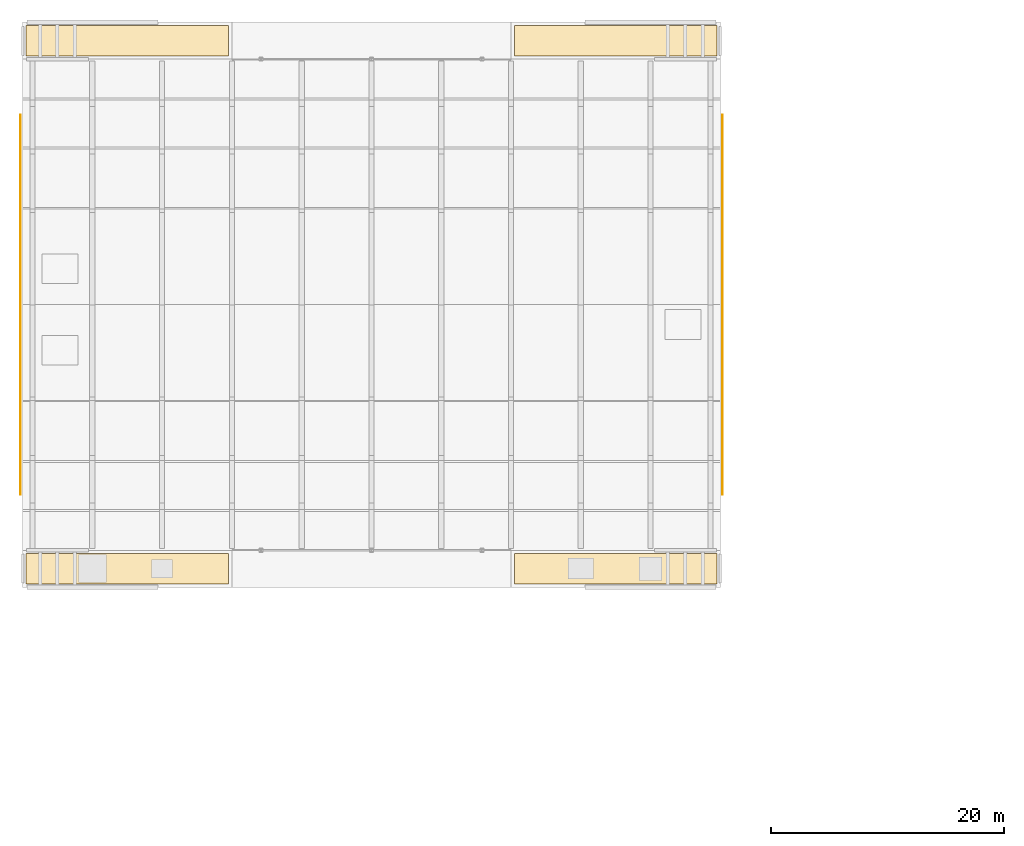
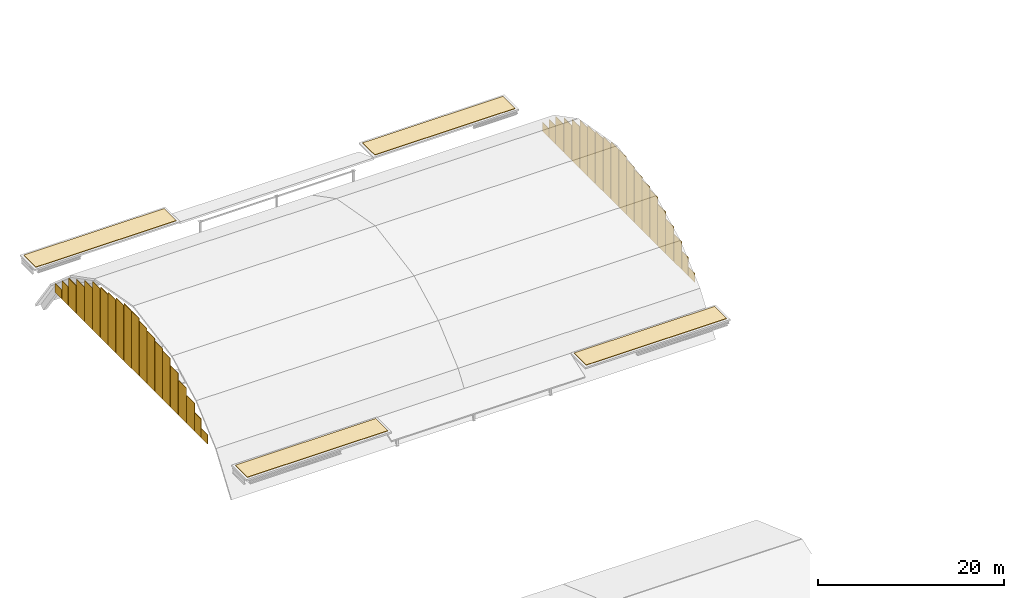
# One storey, part 41 of 42: 44 coverings.
"""IFC4 building model written with IfcOpenShell, lengths in metres."""

from ifc_helpers import new_model, si_unit, direction, frame, origin, origin_2d, place, context, subcontext, project, spatial, polyline, rectangle, outline, extrude, material, layer, layer_set, type_object, element, save


model = new_model("IFC4")

# Units and contexts
model_context = context("Model", 3, precision=1e-05, world=origin(), true_north=direction((0.0, 1.0)))
body_context = subcontext(model_context, "Body", "Model", "MODEL_VIEW")
ifc_project = project(units=[si_unit("LENGTHUNIT", "METRE"), si_unit("AREAUNIT", "SQUARE_METRE"), si_unit("VOLUMEUNIT", "CUBIC_METRE"), si_unit("PLANEANGLEUNIT", "RADIAN"), si_unit("MASSUNIT", "GRAM", prefix="KILO")], contexts=[model_context])

# Site, building, storey
site_placement = place(None, origin())
site = spatial("IfcSite", under=ifc_project, at=site_placement, CompositionType="ELEMENT")
building_placement = place(site_placement, origin())
building = spatial("IfcBuilding", under=site, at=building_placement, Name="Kelmvaro Bay Concert Hall", CompositionType="ELEMENT")
storey_placement = place(building_placement, frame((0.0, 0.0, 26.699951171875)))
storey = spatial("IfcBuildingStorey", under=building, at=storey_placement, Name="RF", CompositionType="ELEMENT", Elevation=26.699951171875)

# Coverings
ifc_material_1 = material(Name="Honed Florida Limestone Travertine", Category="masonry")
ifc_layer_1 = layer(ifc_material_1, 0.054931640625)
ifc_layer_set_1 = layer_set([ifc_layer_1], Name="Honed Florida Limestone Travertine")
covering_type_1 = type_object("IfcCoveringType", Name="Honed Florida Travertine Rainscreen Cladding 55", PredefinedType="CLADDING", material=ifc_layer_set_1)
covering_1_placement = place(storey_placement, frame((-0.195556640625, 74.02880859375, 0.0), z_axis=(0.0, 0.0, 1.0), x_axis=(0.0, 1.0, 0.0)))
element("IfcCovering", 1, at=covering_1_placement, inside=storey, type_object=covering_type_1, Name="RF Crown Travertine Gable Panel 0217", PredefinedType="CLADDING", context=body_context, shape_type="SweptSolid", body=[
    extrude(rectangle(XDim=1.35302734375, YDim=0.054931640625, at=origin_2d()), origin(), (0.0, 0.0, 1.0), 1.193115234375),
])
for number, where, z_axis, x_axis, name in (
    (2, (-0.195556640625, 75.44189453125, 0.0), (0.0, 0.0, 1.0), (0.0, 1.0, 0.0), "RF Crown Travertine Gable Panel 0219"),
    (3, (60.195556640625, 75.44189453125, 0.0), (0.0, 0.0, 1.0), (0.0, -1.0, 0.0), "RF Crown Travertine Gable Panel 0221"),
):
    element("IfcCovering", number, at=place(storey_placement, frame(where, z_axis=z_axis, x_axis=x_axis)), inside=storey, type_object=covering_type_1, Name=name, PredefinedType="CLADDING", context=body_context, shape_type="SweptSolid", body=[
        extrude(rectangle(XDim=1.35302734375, YDim=0.054931640625, at=origin_2d()), origin(), (0.0, 0.0, 1.0), 2.426025390625),
    ])
covering_2_placement = place(storey_placement, frame((60.195556640625, 74.02880859375, 0.0), z_axis=(0.0, 0.0, 1.0), x_axis=(0.0, -1.0, 0.0)))
element("IfcCovering", 4, at=covering_2_placement, inside=storey, type_object=covering_type_1, Name="RF Crown Travertine Gable Panel 0223", PredefinedType="CLADDING", context=body_context, shape_type="SweptSolid", body=[
    extrude(rectangle(XDim=1.35302734375, YDim=0.054931640625, at=origin_2d()), origin(), (0.0, 0.0, 1.0), 1.193115234375),
])
covering_3_placement = place(storey_placement, frame((-0.195556640625, 77.016845703125, 0.0), z_axis=(0.0, 0.0, 1.0), x_axis=(0.0, 1.0, 0.0)))
element("IfcCovering", 5, at=covering_3_placement, inside=storey, type_object=covering_type_1, Name="RF Crown Travertine Gable Panel 0226", PredefinedType="CLADDING", context=body_context, shape_type="SweptSolid", body=[
    extrude(rectangle(XDim=1.676025390625, YDim=0.054931640625, at=origin_2d()), origin(), (0.0, 0.0, 1.0), 3.64892578125),
])
covering_4_placement = place(storey_placement, frame((-0.195556640625, 78.753173828125, 0.0), z_axis=(0.0, 0.0, 1.0), x_axis=(0.0, 1.0, 0.0)))
element("IfcCovering", 6, at=covering_4_placement, inside=storey, type_object=covering_type_1, Name="RF Crown Travertine Gable Panel 0228", PredefinedType="CLADDING", context=body_context, shape_type="SweptSolid", body=[
    extrude(rectangle(XDim=1.676025390625, YDim=0.054931640625, at=origin_2d()), origin(), (0.0, 0.0, 1.0), 4.547119140625),
])
for number, where, z_axis, x_axis, name in (
    (7, (-0.195556640625, 80.489501953125, 0.0), (0.0, 0.0, 1.0), (0.0, 1.0, 0.0), "RF Crown Travertine Gable Panel 0230"),
    (8, (60.195556640625, 80.489501953125, 0.0), (0.0, 0.0, 1.0), (0.0, -1.0, 0.0), "RF Crown Travertine Gable Panel 0232"),
):
    element("IfcCovering", number, at=place(storey_placement, frame(where, z_axis=z_axis, x_axis=x_axis)), inside=storey, type_object=covering_type_1, Name=name, PredefinedType="CLADDING", context=body_context, shape_type="SweptSolid", body=[
        extrude(rectangle(XDim=1.676025390625, YDim=0.054931640625, at=origin_2d()), origin(), (0.0, 0.0, 1.0), 5.446044921875),
    ])
covering_5_placement = place(storey_placement, frame((60.195556640625, 78.753173828125, 0.0), z_axis=(0.0, 0.0, 1.0), x_axis=(0.0, -1.0, 0.0)))
element("IfcCovering", 9, at=covering_5_placement, inside=storey, type_object=covering_type_1, Name="RF Crown Travertine Gable Panel 0234", PredefinedType="CLADDING", context=body_context, shape_type="SweptSolid", body=[
    extrude(rectangle(XDim=1.676025390625, YDim=0.054931640625, at=origin_2d()), origin(), (0.0, 0.0, 1.0), 4.547119140625),
])
covering_6_placement = place(storey_placement, frame((60.195556640625, 77.016845703125, 0.0), z_axis=(0.0, 0.0, 1.0), x_axis=(0.0, -1.0, 0.0)))
element("IfcCovering", 10, at=covering_6_placement, inside=storey, type_object=covering_type_1, Name="RF Crown Travertine Gable Panel 0236", PredefinedType="CLADDING", context=body_context, shape_type="SweptSolid", body=[
    extrude(rectangle(XDim=1.676025390625, YDim=0.054931640625, at=origin_2d()), origin(), (0.0, 0.0, 1.0), 3.64892578125),
])
covering_7_placement = place(storey_placement, frame((-0.195556640625, 82.19189453125, 0.0), z_axis=(0.0, 0.0, 1.0), x_axis=(0.0, 1.0, 0.0)))
element("IfcCovering", 11, at=covering_7_placement, inside=storey, type_object=covering_type_1, Name="RF Crown Travertine Gable Panel 0238", PredefinedType="CLADDING", context=body_context, shape_type="SweptSolid", body=[
    extrude(rectangle(XDim=1.60791015625, YDim=0.054931640625, at=origin_2d()), origin(), (0.0, 0.0, 1.0), 6.333984375),
])
covering_8_placement = place(storey_placement, frame((-0.195556640625, 83.860595703125, 0.0), z_axis=(0.0, 0.0, 1.0), x_axis=(0.0, 1.0, 0.0)))
element("IfcCovering", 12, at=covering_8_placement, inside=storey, type_object=covering_type_1, Name="RF Crown Travertine Gable Panel 0240", PredefinedType="CLADDING", context=body_context, shape_type="SweptSolid", body=[
    extrude(rectangle(XDim=1.60791015625, YDim=0.054931640625, at=origin_2d()), origin(), (0.0, 0.0, 1.0), 6.633056640625),
])
covering_9_placement = place(storey_placement, frame((-0.195556640625, 85.52880859375, -0.000244140625), z_axis=(0.0, 0.0, 1.0), x_axis=(0.0, 1.0, 0.0)))
element("IfcCovering", 13, at=covering_9_placement, inside=storey, type_object=covering_type_1, Name="RF Crown Travertine Gable Panel 0242", PredefinedType="CLADDING", context=body_context, shape_type="SweptSolid", body=[
    extrude(rectangle(XDim=1.60791015625, YDim=0.054931640625, at=origin_2d()), origin(), (0.0, 0.0, 1.0), 6.93310546875),
])
covering_10_placement = place(storey_placement, frame((-0.195556640625, 87.197265625, 0.0), z_axis=(0.0, 0.0, 1.0), x_axis=(0.0, 1.0, 0.0)))
element("IfcCovering", 14, at=covering_10_placement, inside=storey, type_object=covering_type_1, Name="RF Crown Travertine Gable Panel 0244", PredefinedType="CLADDING", context=body_context, shape_type="SweptSolid", body=[
    extrude(rectangle(XDim=1.60791015625, YDim=0.054931640625, at=origin_2d()), origin(), (0.0, 0.0, 1.0), 7.23193359375),
])
for number, where, z_axis, x_axis, name in (
    (15, (-0.195556640625, 88.86572265625, 0.0), (0.0, 0.0, 1.0), (0.0, 1.0, 0.0), "RF Crown Travertine Gable Panel 0246"),
    (16, (60.195556640625, 88.86572265625, 0.0), (0.0, 0.0, 1.0), (0.0, -1.0, 0.0), "RF Crown Travertine Gable Panel 0248"),
):
    element("IfcCovering", number, at=place(storey_placement, frame(where, z_axis=z_axis, x_axis=x_axis)), inside=storey, type_object=covering_type_1, Name=name, PredefinedType="CLADDING", context=body_context, shape_type="SweptSolid", body=[
        extrude(rectangle(XDim=1.60791015625, YDim=0.054931640625, at=origin_2d()), origin(), (0.0, 0.0, 1.0), 7.531005859375),
    ])
covering_11_placement = place(storey_placement, frame((60.195556640625, 87.197265625, 0.0), z_axis=(0.0, 0.0, 1.0), x_axis=(0.0, -1.0, 0.0)))
element("IfcCovering", 17, at=covering_11_placement, inside=storey, type_object=covering_type_1, Name="RF Crown Travertine Gable Panel 0250", PredefinedType="CLADDING", context=body_context, shape_type="SweptSolid", body=[
    extrude(rectangle(XDim=1.60791015625, YDim=0.054931640625, at=origin_2d()), origin(), (0.0, 0.0, 1.0), 7.23193359375),
])
covering_12_placement = place(storey_placement, frame((60.195556640625, 85.52880859375, -0.000244140625), z_axis=(0.0, 0.0, 1.0), x_axis=(0.0, -1.0, 0.0)))
element("IfcCovering", 18, at=covering_12_placement, inside=storey, type_object=covering_type_1, Name="RF Crown Travertine Gable Panel 0252", PredefinedType="CLADDING", context=body_context, shape_type="SweptSolid", body=[
    extrude(rectangle(XDim=1.60791015625, YDim=0.054931640625, at=origin_2d()), origin(), (0.0, 0.0, 1.0), 6.93310546875),
])
covering_13_placement = place(storey_placement, frame((60.195556640625, 83.860595703125, 0.0), z_axis=(0.0, 0.0, 1.0), x_axis=(0.0, -1.0, 0.0)))
element("IfcCovering", 19, at=covering_13_placement, inside=storey, type_object=covering_type_1, Name="RF Crown Travertine Gable Panel 0254", PredefinedType="CLADDING", context=body_context, shape_type="SweptSolid", body=[
    extrude(rectangle(XDim=1.60791015625, YDim=0.054931640625, at=origin_2d()), origin(), (0.0, 0.0, 1.0), 6.633056640625),
])
covering_14_placement = place(storey_placement, frame((60.195556640625, 82.19189453125, 0.0), z_axis=(0.0, 0.0, 1.0), x_axis=(0.0, -1.0, 0.0)))
element("IfcCovering", 20, at=covering_14_placement, inside=storey, type_object=covering_type_1, Name="RF Crown Travertine Gable Panel 0256", PredefinedType="CLADDING", context=body_context, shape_type="SweptSolid", body=[
    extrude(rectangle(XDim=1.60791015625, YDim=0.054931640625, at=origin_2d()), origin(), (0.0, 0.0, 1.0), 6.333984375),
])
covering_15_placement = place(storey_placement, frame((-0.195556640625, 90.5341796875, 0.0), z_axis=(0.0, 0.0, 1.0), x_axis=(0.0, 1.0, 0.0)))
element("IfcCovering", 21, at=covering_15_placement, inside=storey, type_object=covering_type_1, Name="RF Crown Travertine Gable Panel 0258", PredefinedType="CLADDING", context=body_context, shape_type="SweptSolid", body=[
    extrude(rectangle(XDim=1.60791015625, YDim=0.054931640625, at=origin_2d()), origin(), (0.0, 0.0, 1.0), 7.531005859375),
])
covering_16_placement = place(storey_placement, frame((-0.195556640625, 92.20263671875, 0.0), z_axis=(0.0, 0.0, 1.0), x_axis=(0.0, 1.0, 0.0)))
element("IfcCovering", 22, at=covering_16_placement, inside=storey, type_object=covering_type_1, Name="RF Crown Travertine Gable Panel 0260", PredefinedType="CLADDING", context=body_context, shape_type="SweptSolid", body=[
    extrude(rectangle(XDim=1.60791015625, YDim=0.054931640625, at=origin_2d()), origin(), (0.0, 0.0, 1.0), 7.23193359375),
])
covering_17_placement = place(storey_placement, frame((-0.195556640625, 93.87109375, -0.000244140625), z_axis=(0.0, 0.0, 1.0), x_axis=(0.0, 1.0, 0.0)))
element("IfcCovering", 23, at=covering_17_placement, inside=storey, type_object=covering_type_1, Name="RF Crown Travertine Gable Panel 0262", PredefinedType="CLADDING", context=body_context, shape_type="SweptSolid", body=[
    extrude(rectangle(XDim=1.60791015625, YDim=0.054931640625, at=origin_2d()), origin(), (0.0, 0.0, 1.0), 6.93310546875),
])
covering_18_placement = place(storey_placement, frame((-0.195556640625, 95.53955078125, 0.0), z_axis=(0.0, 0.0, 1.0), x_axis=(0.0, 1.0, 0.0)))
element("IfcCovering", 24, at=covering_18_placement, inside=storey, type_object=covering_type_1, Name="RF Crown Travertine Gable Panel 0264", PredefinedType="CLADDING", context=body_context, shape_type="SweptSolid", body=[
    extrude(rectangle(XDim=1.60791015625, YDim=0.054931640625, at=origin_2d()), origin(), (0.0, 0.0, 1.0), 6.633056640625),
])
for number, where, z_axis, x_axis, name in (
    (25, (-0.195556640625, 97.2080078125, 0.0), (0.0, 0.0, 1.0), (0.0, 1.0, 0.0), "RF Crown Travertine Gable Panel 0266"),
    (26, (60.195556640625, 97.2080078125, 0.0), (0.0, 0.0, 1.0), (0.0, -1.0, 0.0), "RF Crown Travertine Gable Panel 0268"),
):
    element("IfcCovering", number, at=place(storey_placement, frame(where, z_axis=z_axis, x_axis=x_axis)), inside=storey, type_object=covering_type_1, Name=name, PredefinedType="CLADDING", context=body_context, shape_type="SweptSolid", body=[
        extrude(rectangle(XDim=1.60791015625, YDim=0.054931640625, at=origin_2d()), origin(), (0.0, 0.0, 1.0), 6.333984375),
    ])
covering_19_placement = place(storey_placement, frame((60.195556640625, 95.53955078125, 0.0), z_axis=(0.0, 0.0, 1.0), x_axis=(0.0, -1.0, 0.0)))
element("IfcCovering", 27, at=covering_19_placement, inside=storey, type_object=covering_type_1, Name="RF Crown Travertine Gable Panel 0270", PredefinedType="CLADDING", context=body_context, shape_type="SweptSolid", body=[
    extrude(rectangle(XDim=1.60791015625, YDim=0.054931640625, at=origin_2d()), origin(), (0.0, 0.0, 1.0), 6.633056640625),
])
covering_20_placement = place(storey_placement, frame((60.195556640625, 93.87109375, -0.000244140625), z_axis=(0.0, 0.0, 1.0), x_axis=(0.0, -1.0, 0.0)))
element("IfcCovering", 28, at=covering_20_placement, inside=storey, type_object=covering_type_1, Name="RF Crown Travertine Gable Panel 0272", PredefinedType="CLADDING", context=body_context, shape_type="SweptSolid", body=[
    extrude(rectangle(XDim=1.60791015625, YDim=0.054931640625, at=origin_2d()), origin(), (0.0, 0.0, 1.0), 6.93310546875),
])
covering_21_placement = place(storey_placement, frame((60.195556640625, 92.20263671875, 0.0), z_axis=(0.0, 0.0, 1.0), x_axis=(0.0, -1.0, 0.0)))
element("IfcCovering", 29, at=covering_21_placement, inside=storey, type_object=covering_type_1, Name="RF Crown Travertine Gable Panel 0274", PredefinedType="CLADDING", context=body_context, shape_type="SweptSolid", body=[
    extrude(rectangle(XDim=1.60791015625, YDim=0.054931640625, at=origin_2d()), origin(), (0.0, 0.0, 1.0), 7.23193359375),
])
covering_22_placement = place(storey_placement, frame((60.195556640625, 90.5341796875, 0.0), z_axis=(0.0, 0.0, 1.0), x_axis=(0.0, -1.0, 0.0)))
element("IfcCovering", 30, at=covering_22_placement, inside=storey, type_object=covering_type_1, Name="RF Crown Travertine Gable Panel 0276", PredefinedType="CLADDING", context=body_context, shape_type="SweptSolid", body=[
    extrude(rectangle(XDim=1.60791015625, YDim=0.054931640625, at=origin_2d()), origin(), (0.0, 0.0, 1.0), 7.531005859375),
])
covering_23_placement = place(storey_placement, frame((-0.195556640625, 98.910400390625, 0.0), z_axis=(0.0, 0.0, 1.0), x_axis=(0.0, 1.0, 0.0)))
element("IfcCovering", 31, at=covering_23_placement, inside=storey, type_object=covering_type_1, Name="RF Crown Travertine Gable Panel 0278", PredefinedType="CLADDING", context=body_context, shape_type="SweptSolid", body=[
    extrude(rectangle(XDim=1.676025390625, YDim=0.054931640625, at=origin_2d()), origin(), (0.0, 0.0, 1.0), 5.446044921875),
])
covering_24_placement = place(storey_placement, frame((-0.195556640625, 100.646728515625, 0.0), z_axis=(0.0, 0.0, 1.0), x_axis=(0.0, 1.0, 0.0)))
element("IfcCovering", 32, at=covering_24_placement, inside=storey, type_object=covering_type_1, Name="RF Crown Travertine Gable Panel 0280", PredefinedType="CLADDING", context=body_context, shape_type="SweptSolid", body=[
    extrude(rectangle(XDim=1.676025390625, YDim=0.054931640625, at=origin_2d()), origin(), (0.0, 0.0, 1.0), 4.547119140625),
])
for number, where, z_axis, x_axis, name in (
    (33, (-0.195556640625, 102.38330078125, 0.0), (0.0, 0.0, 1.0), (0.0, 1.0, 0.0), "RF Crown Travertine Gable Panel 0282"),
    (34, (60.195556640625, 102.38330078125, 0.0), (0.0, 0.0, 1.0), (0.0, -1.0, 0.0), "RF Crown Travertine Gable Panel 0284"),
):
    element("IfcCovering", number, at=place(storey_placement, frame(where, z_axis=z_axis, x_axis=x_axis)), inside=storey, type_object=covering_type_1, Name=name, PredefinedType="CLADDING", context=body_context, shape_type="SweptSolid", body=[
        extrude(rectangle(XDim=1.676025390625, YDim=0.054931640625, at=origin_2d()), origin(), (0.0, 0.0, 1.0), 3.64892578125),
    ])
covering_25_placement = place(storey_placement, frame((60.195556640625, 100.646728515625, 0.0), z_axis=(0.0, 0.0, 1.0), x_axis=(0.0, -1.0, 0.0)))
element("IfcCovering", 35, at=covering_25_placement, inside=storey, type_object=covering_type_1, Name="RF Crown Travertine Gable Panel 0286", PredefinedType="CLADDING", context=body_context, shape_type="SweptSolid", body=[
    extrude(rectangle(XDim=1.676025390625, YDim=0.054931640625, at=origin_2d()), origin(), (0.0, 0.0, 1.0), 4.547119140625),
])
covering_26_placement = place(storey_placement, frame((60.195556640625, 98.910400390625, 0.0), z_axis=(0.0, 0.0, 1.0), x_axis=(0.0, -1.0, 0.0)))
element("IfcCovering", 36, at=covering_26_placement, inside=storey, type_object=covering_type_1, Name="RF Crown Travertine Gable Panel 0288", PredefinedType="CLADDING", context=body_context, shape_type="SweptSolid", body=[
    extrude(rectangle(XDim=1.676025390625, YDim=0.054931640625, at=origin_2d()), origin(), (0.0, 0.0, 1.0), 5.446044921875),
])
covering_27_placement = place(storey_placement, frame((-0.195556640625, 103.9580078125, 0.0), z_axis=(0.0, 0.0, 1.0), x_axis=(0.0, 1.0, 0.0)))
element("IfcCovering", 37, at=covering_27_placement, inside=storey, type_object=covering_type_1, Name="RF Crown Travertine Gable Panel 0290", PredefinedType="CLADDING", context=body_context, shape_type="SweptSolid", body=[
    extrude(rectangle(XDim=1.35302734375, YDim=0.054931640625, at=origin_2d()), origin(), (0.0, 0.0, 1.0), 2.426025390625),
])
for number, where, z_axis, x_axis, name in (
    (38, (-0.195556640625, 105.371337890625, 0.0), (0.0, 0.0, 1.0), (0.0, 1.0, 0.0), "RF Crown Travertine Gable Panel 0292"),
    (39, (60.195556640625, 105.371337890625, 0.0), (0.0, 0.0, 1.0), (0.0, -1.0, 0.0), "RF Crown Travertine Gable Panel 0296"),
):
    element("IfcCovering", number, at=place(storey_placement, frame(where, z_axis=z_axis, x_axis=x_axis)), inside=storey, type_object=covering_type_1, Name=name, PredefinedType="CLADDING", context=body_context, shape_type="SweptSolid", body=[
        extrude(rectangle(XDim=1.35302734375, YDim=0.054931640625, at=origin_2d()), origin(), (0.0, 0.0, 1.0), 1.193115234375),
    ])
covering_28_placement = place(storey_placement, frame((60.195556640625, 103.9580078125, 0.0), z_axis=(0.0, 0.0, 1.0), x_axis=(0.0, -1.0, 0.0)))
element("IfcCovering", 40, at=covering_28_placement, inside=storey, type_object=covering_type_1, Name="RF Crown Travertine Gable Panel 0298", PredefinedType="CLADDING", context=body_context, shape_type="SweptSolid", body=[
    extrude(rectangle(XDim=1.35302734375, YDim=0.054931640625, at=origin_2d()), origin(), (0.0, 0.0, 1.0), 2.426025390625),
])
ifc_material_2 = material(Name="White Reflective SBS Roofing Membrane")
ifc_layer_2 = layer(ifc_material_2, 0.06494140625)
ifc_layer_set_2 = layer_set([ifc_layer_2], Name="White Reflective SBS Roofing Membrane")
covering_type_2 = type_object("IfcCoveringType", Name="SBS Modified Bitumen Cool Roof Membrane 65", PredefinedType="ROOFING", material=ifc_layer_set_2)
covering_29_placement = place(storey_placement, frame((0.0, 0.0, 0.06005859375)))
element("IfcCovering", 41, at=covering_29_placement, inside=storey, type_object=covering_type_2, Name="RF Cool Roof Membrane 01", PredefinedType="ROOFING", context=body_context, shape_type="SweptSolid", body=[
    extrude(outline(polyline([(0.300048828125, 65.699951171875), (17.699951171875, 65.699951171875), (17.699951171875, 68.300048828125), (0.300048828125, 68.300048828125), (0.300048828125, 65.699951171875)])), origin(), (0.0, 0.0, 1.0), 0.06494140625),
])
covering_30_placement = place(storey_placement, frame((0.0, 0.0, 0.06005859375)))
element("IfcCovering", 42, at=covering_30_placement, inside=storey, type_object=covering_type_2, Name="RF Cool Roof Membrane 02", PredefinedType="ROOFING", context=body_context, shape_type="SweptSolid", body=[
    extrude(outline(polyline([(42.300048828125, 65.699951171875), (59.699951171875, 65.699951171875), (59.699951171875, 68.300048828125), (42.300048828125, 68.300048828125), (42.300048828125, 65.699951171875)])), origin(), (0.0, 0.0, 1.0), 0.06494140625),
])
covering_31_placement = place(storey_placement, frame((0.0, 0.0, 0.06005859375)))
element("IfcCovering", 43, at=covering_31_placement, inside=storey, type_object=covering_type_2, Name="RF Cool Roof Membrane 03", PredefinedType="ROOFING", context=body_context, shape_type="SweptSolid", body=[
    extrude(outline(polyline([(0.300048828125, 111.10009765625), (17.699951171875, 111.10009765625), (17.699951171875, 113.699951171875), (0.300048828125, 113.699951171875), (0.300048828125, 111.10009765625)])), origin(), (0.0, 0.0, 1.0), 0.06494140625),
])
covering_32_placement = place(storey_placement, frame((0.0, 0.0, 0.06005859375)))
element("IfcCovering", 44, at=covering_32_placement, inside=storey, type_object=covering_type_2, Name="RF Cool Roof Membrane 04", PredefinedType="ROOFING", context=body_context, shape_type="SweptSolid", body=[
    extrude(outline(polyline([(42.300048828125, 111.10009765625), (59.699951171875, 111.10009765625), (59.699951171875, 113.699951171875), (42.300048828125, 113.699951171875), (42.300048828125, 111.10009765625)])), origin(), (0.0, 0.0, 1.0), 0.06494140625),
])

save(model, "model.ifc")
